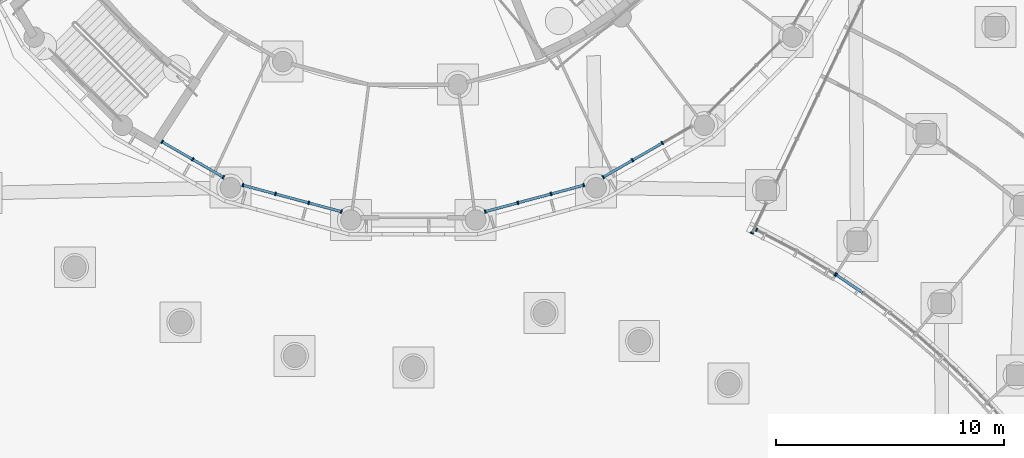
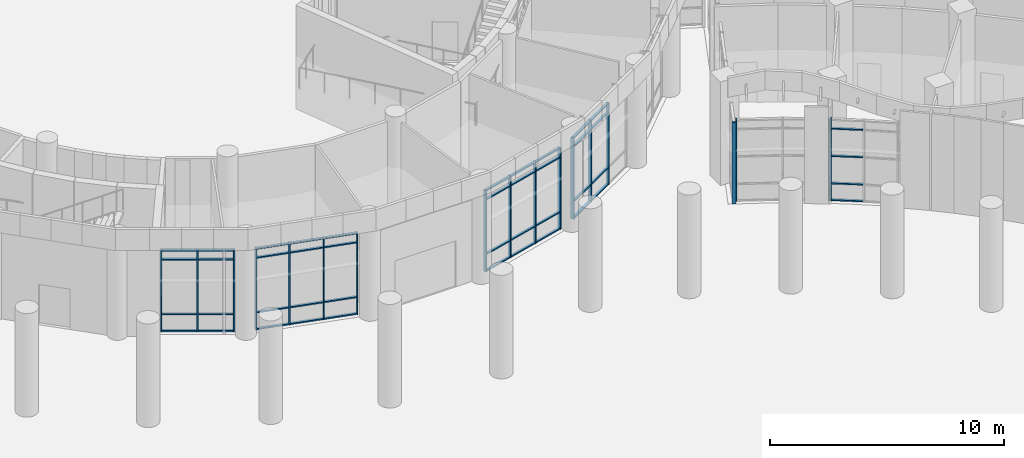
# One storey, part 17 of 146: 62 members, 7 elements without a shape of their own.
"""IFC4 building model written with IfcOpenShell, lengths in metres."""

import ifcopenshell
import ifcopenshell.guid

model = None  # the IFC model being written
_history = None  # IfcOwnerHistory: only IFC2X3 demands one
_inside = {}  # id of a spatial element -> (the spatial element, [elements in it])
_under = {}  # id of a project, library or spatial element -> (it, [spatial elements below it])
_declared = {}  # id of a project -> (the project, [libraries it declares])
_typed = {}  # id of a type object -> (the type object, [elements of that type])
_made_of = {}  # id of a material, layer set ... -> (it, [elements and type objects made of it])


def new_model(schema):
    """Start an empty IFC model of exactly this schema.

    Asked for "IFC4X3", IfcOpenShell would pick the latest addendum, in which some entities
    have other attributes; the version numbers below select the first issue.
    IFC2X3 requires an IfcOwnerHistory on every rooted entity: one is made here for all.
    """
    global model, _history
    if schema == "IFC4X3":
        model = ifcopenshell.file(schema_version=(4, 3, 0, 0))
    else:
        model = ifcopenshell.file(schema=schema)
    _inside.clear()
    _under.clear()
    _declared.clear()
    _typed.clear()
    _made_of.clear()
    _history = None
    if model.schema == "IFC2X3":
        org = make("IfcOrganization", Name="unknown")
        user = make(
            "IfcPersonAndOrganization",
            ThePerson=make("IfcPerson", FamilyName="unknown"),
            TheOrganization=org,
        )
        app = make(
            "IfcApplication",
            ApplicationDeveloper=org,
            Version="unknown",
            ApplicationFullName="unknown",
            ApplicationIdentifier="unknown",
        )
        _history = make(
            "IfcOwnerHistory",
            OwningUser=user,
            OwningApplication=app,
            ChangeAction="ADDED",
            CreationDate=0,
        )
    return model


def make(cls, **values):
    """One entity of the class cls with the attributes given. An attribute that is None is left unset."""
    return model.create_entity(
        cls, **{name: value for name, value in values.items() if value is not None}
    )


def rooted(cls, **values):
    """An entity with a GlobalId (a new one), such as an element, a storey or a relation."""
    return make(cls, GlobalId=ifcopenshell.guid.new(), OwnerHistory=_history, **values)


def si_unit(unit_type, name, prefix=None):
    """IfcSIUnit, for example si_unit("LENGTHUNIT", "METRE", prefix="MILLI")."""
    return make("IfcSIUnit", UnitType=unit_type, Prefix=prefix, Name=name)


def assignment(units):
    """IfcUnitAssignment: the units of a project."""
    return None if units is None else make("IfcUnitAssignment", Units=units)


def point(xyz):
    """IfcCartesianPoint."""
    return None if xyz is None else make("IfcCartesianPoint", Coordinates=xyz)


def direction(xyz):
    """IfcDirection."""
    return None if xyz is None else make("IfcDirection", DirectionRatios=xyz)


def frame(location, z_axis=None, x_axis=None):
    """IfcAxis2Placement3D, a coordinate frame: its origin and axes. An axis left out is left unset."""
    return make(
        "IfcAxis2Placement3D",
        Location=point(location),
        Axis=direction(z_axis),
        RefDirection=direction(x_axis),
    )


def frame_2d(location, x_axis=None):
    """IfcAxis2Placement2D, a coordinate frame in the plane: its origin and x axis."""
    return make(
        "IfcAxis2Placement2D", Location=point(location), RefDirection=direction(x_axis)
    )


def origin():
    """The frame at (0, 0, 0) with its axes left unset."""
    return frame((0.0, 0.0, 0.0))


def origin_2d():
    """The frame at (0, 0) in the plane with its x axis left unset."""
    return frame_2d((0.0, 0.0))


def place(relative_to, where):
    """IfcLocalPlacement: puts the frame where relative to a parent placement (None: the world)."""
    return make(
        "IfcLocalPlacement", PlacementRelTo=relative_to, RelativePlacement=where
    )


def context(
    kind, dimensions, precision=None, world=None, true_north=None, identifier=None
):
    """IfcGeometricRepresentationContext, for example the 3D "Model" context."""
    return make(
        "IfcGeometricRepresentationContext",
        ContextIdentifier=identifier,
        ContextType=kind,
        CoordinateSpaceDimension=dimensions,
        Precision=precision,
        WorldCoordinateSystem=world,
        TrueNorth=true_north,
    )


def subcontext(parent, identifier, kind, view, scale=None):
    """IfcGeometricRepresentationSubContext, for example "Body" below "Model"."""
    return make(
        "IfcGeometricRepresentationSubContext",
        ContextIdentifier=identifier,
        ContextType=kind,
        ParentContext=parent,
        TargetScale=scale,
        TargetView=view,
    )


def project(units=None, contexts=None):
    """IfcProject with its units and contexts."""
    return rooted(
        "IfcProject",
        Name="project",
        RepresentationContexts=contexts,
        UnitsInContext=assignment(units),
    )


def spatial(cls, under=None, at=None, **own):
    """A site, building, storey or space (cls), placed at a placement, below another one or the project."""
    s = rooted(cls, ObjectPlacement=at, **own)
    if under is not None:
        _under.setdefault(under.id(), (under, []))[1].append(s)
    return s


def profile(cls, at=None, kind="AREA", **sizes):
    """A parametric profile (cls). Its sizes go by their IFC names, for example OverallWidth=200.0."""
    return make(cls, ProfileType=kind, Position=at, **sizes)


def rectangle(**sizes):
    """IfcRectangleProfileDef."""
    return profile("IfcRectangleProfileDef", **sizes)


def extrude(swept, where, along, depth):
    """IfcExtrudedAreaSolid: the profile swept, set in the frame where, extruded along a direction by depth."""
    return make(
        "IfcExtrudedAreaSolid",
        SweptArea=swept,
        Position=where,
        ExtrudedDirection=direction(along),
        Depth=depth,
    )


def shape(context_of_items, identifier, shape_type, items):
    """IfcShapeRepresentation: the items that make up one representation, for example the "Body"."""
    return make(
        "IfcShapeRepresentation",
        ContextOfItems=context_of_items,
        RepresentationIdentifier=identifier,
        RepresentationType=shape_type,
        Items=items,
    )


def material(Name=None, Category=None):
    """IfcMaterial."""
    return make("IfcMaterial", Name=Name, Category=Category)


def material_profile(
    of_material, cross_section, Name=None, Category=None, Priority=None
):
    """IfcMaterialProfile: a cross section and its material."""
    return make(
        "IfcMaterialProfile",
        Name=Name,
        Material=of_material,
        Profile=cross_section,
        Priority=Priority,
        Category=Category,
    )


def profile_set(profiles, Name=None, composite=None):
    """IfcMaterialProfileSet."""
    return make(
        "IfcMaterialProfileSet",
        Name=Name,
        MaterialProfiles=profiles,
        CompositeProfile=composite,
    )


def made_of(thing, what):
    """Note that an element or type object is made of a material, layer set ...; save() writes the relation."""
    if what is not None:
        _made_of.setdefault(what.id(), (what, []))[1].append(thing)
    return thing


def type_object(cls, material=None, **own):
    """A type object (cls), such as IfcWallType, which elements share."""
    return made_of(rooted(cls, **own), material)


def element(
    cls,
    number,
    at=None,
    inside=None,
    cuts=None,
    type_object=None,
    material=None,
    context=None,
    identifier="Body",
    shape_type=None,
    held_by="IfcProductDefinitionShape",
    body=None,
    shapes=None,
    **own,
):
    """One element of the class cls, such as IfcWall. Its Tag is "e" and its number.

    at: its placement. inside: the storey or other place that contains it. cuts: it is an
    opening in that element (IfcRelVoidsElement). A single representation is given by context,
    identifier, shape_type and body (its items); several are given by shapes. held_by: the class
    of the entity that holds the representations. save() writes the other relations.
    """
    e = rooted(cls, Tag="e%d" % number, ObjectPlacement=at, **own)
    if body is not None:
        shapes = [shape(context, identifier, shape_type, body)]
    if shapes is not None:
        e.Representation = make(held_by, Representations=shapes)
    if inside is not None:
        _inside.setdefault(inside.id(), (inside, []))[1].append(e)
    if cuts is not None:
        rooted(
            "IfcRelVoidsElement", RelatingBuildingElement=cuts, RelatedOpeningElement=e
        )
    if type_object is not None:
        _typed.setdefault(type_object.id(), (type_object, []))[1].append(e)
    return made_of(e, material)


def aggregate(whole, parts):
    """IfcRelAggregates: a whole, such as a stair, and the parts it consists of."""
    return rooted("IfcRelAggregates", RelatingObject=whole, RelatedObjects=parts)


def save(model, path):
    """Write the relations noted so far, then the file.

    IfcRelAggregates (storeys below a building ...), IfcRelContainedInSpatialStructure (elements
    in a storey), IfcRelDefinesByType, IfcRelAssociatesMaterial and IfcRelDeclares: one each for
    every whole, place, type object, material and project.
    """
    for whole, parts in _under.values():
        aggregate(whole, parts)
    for where, things in _inside.values():
        rooted(
            "IfcRelContainedInSpatialStructure",
            RelatedElements=things,
            RelatingStructure=where,
        )
    for kind, things in _typed.values():
        rooted("IfcRelDefinesByType", RelatedObjects=things, RelatingType=kind)
    for what, things in _made_of.values():
        rooted("IfcRelAssociatesMaterial", RelatedObjects=things, RelatingMaterial=what)
    for by, libraries in _declared.values():
        rooted("IfcRelDeclares", RelatingContext=by, RelatedDefinitions=libraries)
    model.write(path)


model = new_model("IFC4")

# Units and contexts
model_context = context("Model", 3, precision=1e-05, world=origin(), true_north=direction((0.0, 1.0)))
body_context = subcontext(model_context, "Body", "Model", "MODEL_VIEW")
ifc_project = project(units=[si_unit("LENGTHUNIT", "METRE"), si_unit("AREAUNIT", "SQUARE_METRE"), si_unit("VOLUMEUNIT", "CUBIC_METRE"), si_unit("PLANEANGLEUNIT", "RADIAN"), si_unit("MASSUNIT", "GRAM", prefix="KILO")], contexts=[model_context])

# Site, building, storey
site_placement = place(None, origin())
site = spatial("IfcSite", under=ifc_project, at=site_placement, CompositionType="ELEMENT")
building_placement = place(site_placement, origin())
building = spatial("IfcBuilding", under=site, at=building_placement, Name="Bougainvillea Quay General Hospital", CompositionType="ELEMENT")
storey_placement = place(building_placement, origin())
storey = spatial("IfcBuildingStorey", under=building, at=storey_placement, Name="L00", CompositionType="ELEMENT", Elevation=0.0)

# Curtain wall, member
ifc_material_1 = material(Name="Aluminium curtain wall system, powder-coated glazed", Category="aluminium")
curtain_wall_type_1 = type_object("IfcCurtainWallType", Name="Unitised curtain wall CW-1530", PredefinedType="NOTDEFINED", material=ifc_material_1)
curtain_wall_1_placement = place(storey_placement, origin())
curtain_wall_1 = element("IfcCurtainWall", 1, at=curtain_wall_1_placement, inside=storey, type_object=curtain_wall_type_1, Name="CW-AE 01", PredefinedType="NOTDEFINED")
ifc_material_2 = material(Name="Aluminium mullion, powder-coated charcoal", Category="aluminium")
ifc_material_profile_1 = material_profile(ifc_material_2, rectangle(XDim=0.159912109375, YDim=0.06005859375, at=origin_2d()))
ifc_profile_set_1 = profile_set([ifc_material_profile_1], Name="Aluminium mullion, powder-coated charcoal")
member_type_1 = type_object("IfcMemberType", Name="Curtain wall mullion 160x60", PredefinedType="MULLION", material=ifc_profile_set_1)
member_1_placement = place(storey_placement, frame((124.075439453125, 52.607421875, 0.0), z_axis=(0.0, 0.0, 1.0), x_axis=(0.902576055431, -0.430530445105, 0.0)))
member_1 = element("IfcMember", 2, at=member_1_placement, type_object=member_type_1, Name="CW-AE mullion 2", PredefinedType="MULLION", context=body_context, shape_type="SweptSolid", body=[
    extrude(rectangle(XDim=0.159912109375, YDim=0.06005859375, at=origin_2d()), origin(), (0.0, 0.0, 1.0), 4.25),
])
aggregate(curtain_wall_1, [member_1])

# Curtain wall, members
curtain_wall_type_2 = type_object("IfcCurtainWallType", Name="Unitised curtain wall CW-2100", PredefinedType="NOTDEFINED", material=ifc_material_1)
curtain_wall_2_placement = place(storey_placement, origin())
curtain_wall_2 = element("IfcCurtainWall", 3, at=curtain_wall_2_placement, inside=storey, type_object=curtain_wall_type_2, Name="CW-E01 a21b0", PredefinedType="NOTDEFINED")
member_2_placement = place(storey_placement, frame((124.279541015625, 52.750732421875, 0.0), z_axis=(0.0, 0.0, 1.0), x_axis=(0.46572625668, 0.884928841116, 0.0)))
member_2 = element("IfcMember", 4, at=member_2_placement, type_object=member_type_1, Name="CW-E01 mullion 1", PredefinedType="MULLION", context=body_context, shape_type="SweptSolid", body=[
    extrude(rectangle(XDim=0.159912109375, YDim=0.06005859375, at=origin_2d()), origin(), (0.0, 0.0, 1.0), 4.25),
])
member_3_placement = place(storey_placement, frame((127.73388671875, 50.801025390625, 0.0), z_axis=(0.0, 0.0, 1.0), x_axis=(0.516937944525, 0.856022874409, 0.0)))
member_3 = element("IfcMember", 5, at=member_3_placement, type_object=member_type_1, Name="CW-E01 mullion 3", PredefinedType="MULLION", context=body_context, shape_type="SweptSolid", body=[
    extrude(rectangle(XDim=0.159912109375, YDim=0.06005859375, at=origin_2d()), origin(), (0.0, 0.0, 1.0), 4.25),
])
aggregate(curtain_wall_2, [member_2, member_3])

# Curtain wall, member
curtain_wall_3_placement = place(storey_placement, origin())
curtain_wall_3 = element("IfcCurtainWall", 6, at=curtain_wall_3_placement, inside=storey, type_object=curtain_wall_type_2, Name="CW-E02 a21b1", PredefinedType="NOTDEFINED")
member_4_placement = place(storey_placement, frame((127.784423828125, 50.7685546875, 0.0), z_axis=(0.0, 0.0, 1.0), x_axis=(0.559636552705, 0.828738154592, 0.0)))
member_4 = element("IfcMember", 7, at=member_4_placement, type_object=member_type_1, Name="CW-E02 mullion 1", PredefinedType="MULLION", context=body_context, shape_type="SweptSolid", body=[
    extrude(rectangle(XDim=0.159912109375, YDim=0.06005859375, at=origin_2d()), origin(), (0.0, 0.0, 1.0), 4.25),
])

# Curtain wall, members
curtain_wall_type_3 = type_object("IfcCurtainWallType", Name="Unitised curtain wall CW-1585", PredefinedType="NOTDEFINED", material=ifc_material_1)
curtain_wall_4_placement = place(storey_placement, origin())
curtain_wall_4 = element("IfcCurtainWall", 8, at=curtain_wall_4_placement, inside=storey, type_object=curtain_wall_type_3, Name="CW-D 00", PredefinedType="NOTDEFINED")
member_5_placement = place(storey_placement, frame((98.162841796875, 56.620361328125, 0.0), z_axis=(0.0, 0.0, 1.0), x_axis=(0.499964557262, 0.866045865692, 0.0)))
member_5 = element("IfcMember", 9, at=member_5_placement, type_object=member_type_1, Name="CW-D mullion 1", PredefinedType="MULLION", context=body_context, shape_type="SweptSolid", body=[
    extrude(rectangle(XDim=0.159912109375, YDim=0.06005859375, at=origin_2d()), origin(), (0.0, 0.0, 1.0), 4.25),
])
member_6_placement = place(storey_placement, frame((99.50927734375, 55.8427734375, 0.0), z_axis=(0.0, 0.0, 1.0), x_axis=(0.499964557262, 0.866045865692, 0.0)))
member_6 = element("IfcMember", 10, at=member_6_placement, type_object=member_type_1, Name="CW-D mullion 2", PredefinedType="MULLION", context=body_context, shape_type="SweptSolid", body=[
    extrude(rectangle(XDim=0.159912109375, YDim=0.06005859375, at=origin_2d()), origin(), (0.0, 0.0, 1.0), 4.25),
])
member_7_placement = place(storey_placement, frame((100.85595703125, 55.0654296875, 0.0), z_axis=(0.0, 0.0, 1.0), x_axis=(0.499964557262, 0.866045865692, 0.0)))
member_7 = element("IfcMember", 11, at=member_7_placement, type_object=member_type_1, Name="CW-D mullion 3", PredefinedType="MULLION", context=body_context, shape_type="SweptSolid", body=[
    extrude(rectangle(XDim=0.159912109375, YDim=0.06005859375, at=origin_2d()), origin(), (0.0, 0.0, 1.0), 4.25),
])

curtain_wall_type_4 = type_object("IfcCurtainWallType", Name="Unitised curtain wall CW-1514", PredefinedType="NOTDEFINED", material=ifc_material_1)
curtain_wall_5_placement = place(storey_placement, origin())
curtain_wall_5 = element("IfcCurtainWall", 12, at=curtain_wall_5_placement, inside=storey, type_object=curtain_wall_type_4, Name="CW-D 00", PredefinedType="NOTDEFINED")
member_8_placement = place(storey_placement, frame((101.711669921875, 54.7109375, 0.0), z_axis=(0.0, 0.0, 1.0), x_axis=(0.258854621298, 0.965916292974, 0.0)))
member_8 = element("IfcMember", 13, at=member_8_placement, type_object=member_type_1, Name="CW-D mullion 1", PredefinedType="MULLION", context=body_context, shape_type="SweptSolid", body=[
    extrude(rectangle(XDim=0.159912109375, YDim=0.06005859375, at=origin_2d()), origin(), (0.0, 0.0, 1.0), 4.25),
])
member_9_placement = place(storey_placement, frame((103.14501953125, 54.326904296875, 0.0), z_axis=(0.0, 0.0, 1.0), x_axis=(0.258854621298, 0.965916292974, 0.0)))
member_9 = element("IfcMember", 14, at=member_9_placement, type_object=member_type_1, Name="CW-D mullion 2", PredefinedType="MULLION", context=body_context, shape_type="SweptSolid", body=[
    extrude(rectangle(XDim=0.159912109375, YDim=0.06005859375, at=origin_2d()), origin(), (0.0, 0.0, 1.0), 4.25),
])
member_10_placement = place(storey_placement, frame((104.607421875, 53.93505859375, 0.0), z_axis=(0.0, 0.0, 1.0), x_axis=(0.258854621298, 0.965916292974, 0.0)))
member_10 = element("IfcMember", 15, at=member_10_placement, type_object=member_type_1, Name="CW-D mullion 3", PredefinedType="MULLION", context=body_context, shape_type="SweptSolid", body=[
    extrude(rectangle(XDim=0.159912109375, YDim=0.06005859375, at=origin_2d()), origin(), (0.0, 0.0, 1.0), 4.25),
])
member_11_placement = place(storey_placement, frame((106.040771484375, 53.551025390625, 0.0), z_axis=(0.0, 0.0, 1.0), x_axis=(0.258854621298, 0.965916292974, 0.0)))
member_11 = element("IfcMember", 16, at=member_11_placement, type_object=member_type_1, Name="CW-D mullion 4", PredefinedType="MULLION", context=body_context, shape_type="SweptSolid", body=[
    extrude(rectangle(XDim=0.159912109375, YDim=0.06005859375, at=origin_2d()), origin(), (0.0, 0.0, 1.0), 4.25),
])

curtain_wall_6_placement = place(storey_placement, origin())
curtain_wall_6 = element("IfcCurtainWall", 17, at=curtain_wall_6_placement, inside=storey, type_object=curtain_wall_type_4, Name="CW-D 00", PredefinedType="NOTDEFINED")
member_12_placement = place(storey_placement, frame((112.359130859375, 53.551025390625, 0.0), z_axis=(0.0, 0.0, 1.0), x_axis=(-0.258854621298, 0.965916292974, 0.0)))
member_12 = element("IfcMember", 18, at=member_12_placement, type_object=member_type_1, Name="CW-D mullion 1", PredefinedType="MULLION", context=body_context, shape_type="SweptSolid", body=[
    extrude(rectangle(XDim=0.159912109375, YDim=0.06005859375, at=origin_2d()), origin(), (0.0, 0.0, 1.0), 4.25),
])
member_13_placement = place(storey_placement, frame((113.792724609375, 53.93505859375, 0.0), z_axis=(0.0, 0.0, 1.0), x_axis=(-0.258854621298, 0.965916292974, 0.0)))
member_13 = element("IfcMember", 19, at=member_13_placement, type_object=member_type_1, Name="CW-D mullion 2", PredefinedType="MULLION", context=body_context, shape_type="SweptSolid", body=[
    extrude(rectangle(XDim=0.159912109375, YDim=0.06005859375, at=origin_2d()), origin(), (0.0, 0.0, 1.0), 4.25),
])
member_14_placement = place(storey_placement, frame((115.2548828125, 54.326904296875, 0.0), z_axis=(0.0, 0.0, 1.0), x_axis=(-0.258854621298, 0.965916292974, 0.0)))
member_14 = element("IfcMember", 20, at=member_14_placement, type_object=member_type_1, Name="CW-D mullion 3", PredefinedType="MULLION", context=body_context, shape_type="SweptSolid", body=[
    extrude(rectangle(XDim=0.159912109375, YDim=0.06005859375, at=origin_2d()), origin(), (0.0, 0.0, 1.0), 4.25),
])
member_15_placement = place(storey_placement, frame((116.688232421875, 54.7109375, 0.0), z_axis=(0.0, 0.0, 1.0), x_axis=(-0.258854621298, 0.965916292974, 0.0)))
member_15 = element("IfcMember", 21, at=member_15_placement, type_object=member_type_1, Name="CW-D mullion 4", PredefinedType="MULLION", context=body_context, shape_type="SweptSolid", body=[
    extrude(rectangle(XDim=0.159912109375, YDim=0.06005859375, at=origin_2d()), origin(), (0.0, 0.0, 1.0), 4.25),
])

curtain_wall_type_5 = type_object("IfcCurtainWallType", Name="Unitised curtain wall CW-1515", PredefinedType="NOTDEFINED", material=ifc_material_1)
curtain_wall_7_placement = place(storey_placement, origin())
curtain_wall_7 = element("IfcCurtainWall", 22, at=curtain_wall_7_placement, inside=storey, type_object=curtain_wall_type_5, Name="CW-D 00", PredefinedType="NOTDEFINED")
member_16_placement = place(storey_placement, frame((117.5439453125, 55.0654296875, 0.0), z_axis=(0.0, 0.0, 1.0), x_axis=(-0.499964557262, 0.866045865692, 0.0)))
member_16 = element("IfcMember", 23, at=member_16_placement, type_object=member_type_1, Name="CW-D mullion 1", PredefinedType="MULLION", context=body_context, shape_type="SweptSolid", body=[
    extrude(rectangle(XDim=0.159912109375, YDim=0.06005859375, at=origin_2d()), origin(), (0.0, 0.0, 1.0), 4.25),
])
member_17_placement = place(storey_placement, frame((118.829345703125, 55.8076171875, 0.0), z_axis=(0.0, 0.0, 1.0), x_axis=(-0.499964557262, 0.866045865692, 0.0)))
member_17 = element("IfcMember", 24, at=member_17_placement, type_object=member_type_1, Name="CW-D mullion 2", PredefinedType="MULLION", context=body_context, shape_type="SweptSolid", body=[
    extrude(rectangle(XDim=0.159912109375, YDim=0.06005859375, at=origin_2d()), origin(), (0.0, 0.0, 1.0), 4.25),
])
member_18_placement = place(storey_placement, frame((120.140625, 56.564453125, 0.0), z_axis=(0.0, 0.0, 1.0), x_axis=(-0.499964557262, 0.866045865692, 0.0)))
member_18 = element("IfcMember", 25, at=member_18_placement, type_object=member_type_1, Name="CW-D mullion 3", PredefinedType="MULLION", context=body_context, shape_type="SweptSolid", body=[
    extrude(rectangle(XDim=0.159912109375, YDim=0.06005859375, at=origin_2d()), origin(), (0.0, 0.0, 1.0), 4.25),
])

# Member
ifc_material_3 = material(Name="Aluminium transom, powder-coated charcoal", Category="aluminium")
ifc_material_profile_2 = material_profile(ifc_material_3, rectangle(XDim=0.1201171875, YDim=0.06005859375, at=origin_2d()))
ifc_profile_set_2 = profile_set([ifc_material_profile_2], Name="Aluminium transom, powder-coated charcoal")
member_type_2 = type_object("IfcMemberType", Name="Curtain wall transom 120x60", PredefinedType="USERDEFINED", material=ifc_profile_set_2)
member_19_placement = place(storey_placement, frame((127.809326171875, 50.751953125, 0.030029296875), z_axis=(0.828627038145, -0.559801064356, 0.0), x_axis=(0.559801064356, 0.828627038145, 0.0)))
member_19 = element("IfcMember", 26, at=member_19_placement, type_object=member_type_2, Name="CW-E02 transom 1.1", ObjectType="TRANSOM", PredefinedType="USERDEFINED", context=body_context, shape_type="SweptSolid", body=[
    extrude(rectangle(XDim=0.1201171875, YDim=0.06005859375, at=origin_2d()), origin(), (0.0, 0.0, 1.0), 1.36669921875),
])

member_20_placement = place(storey_placement, frame((127.809326171875, 50.751953125, 0.89990234375), z_axis=(0.828627038145, -0.559801064356, 0.0), x_axis=(0.559801064356, 0.828627038145, 0.0)))
member_20 = element("IfcMember", 27, at=member_20_placement, type_object=member_type_2, Name="CW-E02 transom 1.2", ObjectType="TRANSOM", PredefinedType="USERDEFINED", context=body_context, shape_type="SweptSolid", body=[
    extrude(rectangle(XDim=0.1201171875, YDim=0.06005859375, at=origin_2d()), origin(), (0.0, 0.0, 1.0), 1.36669921875),
])

member_21_placement = place(storey_placement, frame((127.809326171875, 50.751953125, 2.324951171875), z_axis=(0.828627038145, -0.559801064356, 0.0), x_axis=(0.559801064356, 0.828627038145, 0.0)))
member_21 = element("IfcMember", 28, at=member_21_placement, type_object=member_type_2, Name="CW-E02 transom 1.3", ObjectType="TRANSOM", PredefinedType="USERDEFINED", context=body_context, shape_type="SweptSolid", body=[
    extrude(rectangle(XDim=0.1201171875, YDim=0.06005859375, at=origin_2d()), origin(), (0.0, 0.0, 1.0), 1.36669921875),
])

member_22_placement = place(storey_placement, frame((127.809326171875, 50.751953125, 3.75), z_axis=(0.828627038145, -0.559801064356, 0.0), x_axis=(0.559801064356, 0.828627038145, 0.0)))
member_22 = element("IfcMember", 29, at=member_22_placement, type_object=member_type_2, Name="CW-E02 transom 1.4", ObjectType="TRANSOM", PredefinedType="USERDEFINED", context=body_context, shape_type="SweptSolid", body=[
    extrude(rectangle(XDim=0.1201171875, YDim=0.06005859375, at=origin_2d()), origin(), (0.0, 0.0, 1.0), 1.36669921875),
])

aggregate(curtain_wall_3, [member_4, member_19, member_20, member_21, member_22])

member_23_placement = place(storey_placement, frame((98.188720703125, 56.605224609375, 0.030029296875), z_axis=(0.866074087889, -0.499915667175, 0.0), x_axis=(0.499915667175, 0.866074087889, 0.0)))
member_23 = element("IfcMember", 30, at=member_23_placement, type_object=member_type_2, Name="CW-D transom 1.1", ObjectType="TRANSOM", PredefinedType="USERDEFINED", context=body_context, shape_type="SweptSolid", body=[
    extrude(rectangle(XDim=0.1201171875, YDim=0.06005859375, at=origin_2d()), origin(), (0.0, 0.0, 1.0), 1.494873046875),
])

member_24_placement = place(storey_placement, frame((98.188720703125, 56.605224609375, 0.89990234375), z_axis=(0.866074087889, -0.499915667175, 0.0), x_axis=(0.499915667175, 0.866074087889, 0.0)))
member_24 = element("IfcMember", 31, at=member_24_placement, type_object=member_type_2, Name="CW-D transom 1.2", ObjectType="TRANSOM", PredefinedType="USERDEFINED", context=body_context, shape_type="SweptSolid", body=[
    extrude(rectangle(XDim=0.1201171875, YDim=0.06005859375, at=origin_2d()), origin(), (0.0, 0.0, 1.0), 1.494873046875),
])

member_25_placement = place(storey_placement, frame((98.188720703125, 56.605224609375, 3.75), z_axis=(0.866074087889, -0.499915667175, 0.0), x_axis=(0.499915667175, 0.866074087889, 0.0)))
member_25 = element("IfcMember", 32, at=member_25_placement, type_object=member_type_2, Name="CW-D transom 1.3", ObjectType="TRANSOM", PredefinedType="USERDEFINED", context=body_context, shape_type="SweptSolid", body=[
    extrude(rectangle(XDim=0.1201171875, YDim=0.06005859375, at=origin_2d()), origin(), (0.0, 0.0, 1.0), 1.494873046875),
])

member_26_placement = place(storey_placement, frame((98.188720703125, 56.605224609375, 4.219970703125), z_axis=(0.866074087889, -0.499915667175, 0.0), x_axis=(0.499915667175, 0.866074087889, 0.0)))
member_26 = element("IfcMember", 33, at=member_26_placement, type_object=member_type_2, Name="CW-D transom 1.4", ObjectType="TRANSOM", PredefinedType="USERDEFINED", context=body_context, shape_type="SweptSolid", body=[
    extrude(rectangle(XDim=0.1201171875, YDim=0.06005859375, at=origin_2d()), origin(), (0.0, 0.0, 1.0), 1.494873046875),
])

member_27_placement = place(storey_placement, frame((99.535400390625, 55.827880859375, 0.030029296875), z_axis=(0.866074087889, -0.499915667175, 0.0), x_axis=(0.499915667175, 0.866074087889, 0.0)))
member_27 = element("IfcMember", 34, at=member_27_placement, type_object=member_type_2, Name="CW-D transom 2.1", ObjectType="TRANSOM", PredefinedType="USERDEFINED", context=body_context, shape_type="SweptSolid", body=[
    extrude(rectangle(XDim=0.1201171875, YDim=0.06005859375, at=origin_2d()), origin(), (0.0, 0.0, 1.0), 1.494873046875),
])

member_28_placement = place(storey_placement, frame((99.535400390625, 55.827880859375, 0.89990234375), z_axis=(0.866074087889, -0.499915667175, 0.0), x_axis=(0.499915667175, 0.866074087889, 0.0)))
member_28 = element("IfcMember", 35, at=member_28_placement, type_object=member_type_2, Name="CW-D transom 2.2", ObjectType="TRANSOM", PredefinedType="USERDEFINED", context=body_context, shape_type="SweptSolid", body=[
    extrude(rectangle(XDim=0.1201171875, YDim=0.06005859375, at=origin_2d()), origin(), (0.0, 0.0, 1.0), 1.494873046875),
])

member_29_placement = place(storey_placement, frame((99.535400390625, 55.827880859375, 3.75), z_axis=(0.866074087889, -0.499915667175, 0.0), x_axis=(0.499915667175, 0.866074087889, 0.0)))
member_29 = element("IfcMember", 36, at=member_29_placement, type_object=member_type_2, Name="CW-D transom 2.3", ObjectType="TRANSOM", PredefinedType="USERDEFINED", context=body_context, shape_type="SweptSolid", body=[
    extrude(rectangle(XDim=0.1201171875, YDim=0.06005859375, at=origin_2d()), origin(), (0.0, 0.0, 1.0), 1.494873046875),
])

member_30_placement = place(storey_placement, frame((99.535400390625, 55.827880859375, 4.219970703125), z_axis=(0.866074087889, -0.499915667175, 0.0), x_axis=(0.499915667175, 0.866074087889, 0.0)))
member_30 = element("IfcMember", 37, at=member_30_placement, type_object=member_type_2, Name="CW-D transom 2.4", ObjectType="TRANSOM", PredefinedType="USERDEFINED", context=body_context, shape_type="SweptSolid", body=[
    extrude(rectangle(XDim=0.1201171875, YDim=0.06005859375, at=origin_2d()), origin(), (0.0, 0.0, 1.0), 1.494873046875),
])

aggregate(curtain_wall_4, [member_5, member_6, member_7, member_23, member_24, member_25, member_26, member_27, member_28, member_29, member_30])

member_31_placement = place(storey_placement, frame((101.74072265625, 54.703369140625, 0.030029296875), z_axis=(0.965898291136, -0.258921785836, 0.0), x_axis=(0.258921785836, 0.965898291136, 0.0)))
member_31 = element("IfcMember", 38, at=member_31_placement, type_object=member_type_2, Name="CW-D transom 1.1", ObjectType="TRANSOM", PredefinedType="USERDEFINED", context=body_context, shape_type="SweptSolid", body=[
    extrude(rectangle(XDim=0.1201171875, YDim=0.06005859375, at=origin_2d()), origin(), (0.0, 0.0, 1.0), 1.423828125),
])

member_32_placement = place(storey_placement, frame((101.74072265625, 54.703369140625, 0.89990234375), z_axis=(0.965898291136, -0.258921785836, 0.0), x_axis=(0.258921785836, 0.965898291136, 0.0)))
member_32 = element("IfcMember", 39, at=member_32_placement, type_object=member_type_2, Name="CW-D transom 1.2", ObjectType="TRANSOM", PredefinedType="USERDEFINED", context=body_context, shape_type="SweptSolid", body=[
    extrude(rectangle(XDim=0.1201171875, YDim=0.06005859375, at=origin_2d()), origin(), (0.0, 0.0, 1.0), 1.423828125),
])

member_33_placement = place(storey_placement, frame((101.74072265625, 54.703369140625, 3.75), z_axis=(0.965898291136, -0.258921785836, 0.0), x_axis=(0.258921785836, 0.965898291136, 0.0)))
member_33 = element("IfcMember", 40, at=member_33_placement, type_object=member_type_2, Name="CW-D transom 1.3", ObjectType="TRANSOM", PredefinedType="USERDEFINED", context=body_context, shape_type="SweptSolid", body=[
    extrude(rectangle(XDim=0.1201171875, YDim=0.06005859375, at=origin_2d()), origin(), (0.0, 0.0, 1.0), 1.423828125),
])

member_34_placement = place(storey_placement, frame((101.74072265625, 54.703369140625, 4.219970703125), z_axis=(0.965898291136, -0.258921785836, 0.0), x_axis=(0.258921785836, 0.965898291136, 0.0)))
member_34 = element("IfcMember", 41, at=member_34_placement, type_object=member_type_2, Name="CW-D transom 1.4", ObjectType="TRANSOM", PredefinedType="USERDEFINED", context=body_context, shape_type="SweptSolid", body=[
    extrude(rectangle(XDim=0.1201171875, YDim=0.06005859375, at=origin_2d()), origin(), (0.0, 0.0, 1.0), 1.423828125),
])

member_35_placement = place(storey_placement, frame((103.174072265625, 54.319091796875, 0.030029296875), z_axis=(0.965936059001, -0.258780853081, 0.0), x_axis=(0.258780853081, 0.965936059001, 0.0)))
member_35 = element("IfcMember", 42, at=member_35_placement, type_object=member_type_2, Name="CW-D transom 2.1", ObjectType="TRANSOM", PredefinedType="USERDEFINED", context=body_context, shape_type="SweptSolid", body=[
    extrude(rectangle(XDim=0.1201171875, YDim=0.06005859375, at=origin_2d()), origin(), (0.0, 0.0, 1.0), 1.453857421875),
])

member_36_placement = place(storey_placement, frame((103.174072265625, 54.319091796875, 0.89990234375), z_axis=(0.965936059001, -0.258780853081, 0.0), x_axis=(0.258780853081, 0.965936059001, 0.0)))
member_36 = element("IfcMember", 43, at=member_36_placement, type_object=member_type_2, Name="CW-D transom 2.2", ObjectType="TRANSOM", PredefinedType="USERDEFINED", context=body_context, shape_type="SweptSolid", body=[
    extrude(rectangle(XDim=0.1201171875, YDim=0.06005859375, at=origin_2d()), origin(), (0.0, 0.0, 1.0), 1.453857421875),
])

member_37_placement = place(storey_placement, frame((103.174072265625, 54.319091796875, 3.75), z_axis=(0.965936059001, -0.258780853081, 0.0), x_axis=(0.258780853081, 0.965936059001, 0.0)))
member_37 = element("IfcMember", 44, at=member_37_placement, type_object=member_type_2, Name="CW-D transom 2.3", ObjectType="TRANSOM", PredefinedType="USERDEFINED", context=body_context, shape_type="SweptSolid", body=[
    extrude(rectangle(XDim=0.1201171875, YDim=0.06005859375, at=origin_2d()), origin(), (0.0, 0.0, 1.0), 1.453857421875),
])

member_38_placement = place(storey_placement, frame((103.174072265625, 54.319091796875, 4.219970703125), z_axis=(0.965936059001, -0.258780853081, 0.0), x_axis=(0.258780853081, 0.965936059001, 0.0)))
member_38 = element("IfcMember", 45, at=member_38_placement, type_object=member_type_2, Name="CW-D transom 2.4", ObjectType="TRANSOM", PredefinedType="USERDEFINED", context=body_context, shape_type="SweptSolid", body=[
    extrude(rectangle(XDim=0.1201171875, YDim=0.06005859375, at=origin_2d()), origin(), (0.0, 0.0, 1.0), 1.453857421875),
])

member_39_placement = place(storey_placement, frame((104.636474609375, 53.92724609375, 0.030029296875), z_axis=(0.965898291136, -0.258921785836, 0.0), x_axis=(0.258921785836, 0.965898291136, 0.0)))
member_39 = element("IfcMember", 46, at=member_39_placement, type_object=member_type_2, Name="CW-D transom 3.1", ObjectType="TRANSOM", PredefinedType="USERDEFINED", context=body_context, shape_type="SweptSolid", body=[
    extrude(rectangle(XDim=0.1201171875, YDim=0.06005859375, at=origin_2d()), origin(), (0.0, 0.0, 1.0), 1.423828125),
])

member_40_placement = place(storey_placement, frame((104.636474609375, 53.92724609375, 0.89990234375), z_axis=(0.965898291136, -0.258921785836, 0.0), x_axis=(0.258921785836, 0.965898291136, 0.0)))
member_40 = element("IfcMember", 47, at=member_40_placement, type_object=member_type_2, Name="CW-D transom 3.2", ObjectType="TRANSOM", PredefinedType="USERDEFINED", context=body_context, shape_type="SweptSolid", body=[
    extrude(rectangle(XDim=0.1201171875, YDim=0.06005859375, at=origin_2d()), origin(), (0.0, 0.0, 1.0), 1.423828125),
])

member_41_placement = place(storey_placement, frame((104.636474609375, 53.92724609375, 3.75), z_axis=(0.965898291136, -0.258921785836, 0.0), x_axis=(0.258921785836, 0.965898291136, 0.0)))
member_41 = element("IfcMember", 48, at=member_41_placement, type_object=member_type_2, Name="CW-D transom 3.3", ObjectType="TRANSOM", PredefinedType="USERDEFINED", context=body_context, shape_type="SweptSolid", body=[
    extrude(rectangle(XDim=0.1201171875, YDim=0.06005859375, at=origin_2d()), origin(), (0.0, 0.0, 1.0), 1.423828125),
])

member_42_placement = place(storey_placement, frame((104.636474609375, 53.92724609375, 4.219970703125), z_axis=(0.965898291136, -0.258921785836, 0.0), x_axis=(0.258921785836, 0.965898291136, 0.0)))
member_42 = element("IfcMember", 49, at=member_42_placement, type_object=member_type_2, Name="CW-D transom 3.4", ObjectType="TRANSOM", PredefinedType="USERDEFINED", context=body_context, shape_type="SweptSolid", body=[
    extrude(rectangle(XDim=0.1201171875, YDim=0.06005859375, at=origin_2d()), origin(), (0.0, 0.0, 1.0), 1.423828125),
])

aggregate(curtain_wall_5, [member_8, member_9, member_10, member_11, member_31, member_32, member_33, member_34, member_35, member_36, member_37, member_38, member_39, member_40, member_41, member_42])

member_43_placement = place(storey_placement, frame((112.38818359375, 53.55859375, 0.030029296875), z_axis=(0.965909783806, 0.258878909043, 0.0), x_axis=(-0.258878909043, 0.965909783806, 0.0)))
member_43 = element("IfcMember", 50, at=member_43_placement, type_object=member_type_2, Name="CW-D transom 1.1", ObjectType="TRANSOM", PredefinedType="USERDEFINED", context=body_context, shape_type="SweptSolid", body=[
    extrude(rectangle(XDim=0.1201171875, YDim=0.06005859375, at=origin_2d()), origin(), (0.0, 0.0, 1.0), 1.424072265625),
])

member_44_placement = place(storey_placement, frame((112.38818359375, 53.55859375, 0.89990234375), z_axis=(0.965909783806, 0.258878909043, 0.0), x_axis=(-0.258878909043, 0.965909783806, 0.0)))
member_44 = element("IfcMember", 51, at=member_44_placement, type_object=member_type_2, Name="CW-D transom 1.2", ObjectType="TRANSOM", PredefinedType="USERDEFINED", context=body_context, shape_type="SweptSolid", body=[
    extrude(rectangle(XDim=0.1201171875, YDim=0.06005859375, at=origin_2d()), origin(), (0.0, 0.0, 1.0), 1.424072265625),
])

member_45_placement = place(storey_placement, frame((112.38818359375, 53.55859375, 3.75), z_axis=(0.965909783806, 0.258878909043, 0.0), x_axis=(-0.258878909043, 0.965909783806, 0.0)))
member_45 = element("IfcMember", 52, at=member_45_placement, type_object=member_type_2, Name="CW-D transom 1.3", ObjectType="TRANSOM", PredefinedType="USERDEFINED", context=body_context, shape_type="SweptSolid", body=[
    extrude(rectangle(XDim=0.1201171875, YDim=0.06005859375, at=origin_2d()), origin(), (0.0, 0.0, 1.0), 1.424072265625),
])

member_46_placement = place(storey_placement, frame((112.38818359375, 53.55859375, 4.219970703125), z_axis=(0.965909783806, 0.258878909043, 0.0), x_axis=(-0.258878909043, 0.965909783806, 0.0)))
member_46 = element("IfcMember", 53, at=member_46_placement, type_object=member_type_2, Name="CW-D transom 1.4", ObjectType="TRANSOM", PredefinedType="USERDEFINED", context=body_context, shape_type="SweptSolid", body=[
    extrude(rectangle(XDim=0.1201171875, YDim=0.06005859375, at=origin_2d()), origin(), (0.0, 0.0, 1.0), 1.424072265625),
])

member_47_placement = place(storey_placement, frame((113.821533203125, 53.94287109375, 0.030029296875), z_axis=(0.965947302154, 0.258738882778, 0.0), x_axis=(-0.258738882778, 0.965947302154, 0.0)))
member_47 = element("IfcMember", 54, at=member_47_placement, type_object=member_type_2, Name="CW-D transom 2.1", ObjectType="TRANSOM", PredefinedType="USERDEFINED", context=body_context, shape_type="SweptSolid", body=[
    extrude(rectangle(XDim=0.1201171875, YDim=0.06005859375, at=origin_2d()), origin(), (0.0, 0.0, 1.0), 1.4541015625),
])

member_48_placement = place(storey_placement, frame((113.821533203125, 53.94287109375, 0.89990234375), z_axis=(0.965947302154, 0.258738882778, 0.0), x_axis=(-0.258738882778, 0.965947302154, 0.0)))
member_48 = element("IfcMember", 55, at=member_48_placement, type_object=member_type_2, Name="CW-D transom 2.2", ObjectType="TRANSOM", PredefinedType="USERDEFINED", context=body_context, shape_type="SweptSolid", body=[
    extrude(rectangle(XDim=0.1201171875, YDim=0.06005859375, at=origin_2d()), origin(), (0.0, 0.0, 1.0), 1.4541015625),
])

member_49_placement = place(storey_placement, frame((113.821533203125, 53.94287109375, 3.75), z_axis=(0.965947302154, 0.258738882778, 0.0), x_axis=(-0.258738882778, 0.965947302154, 0.0)))
member_49 = element("IfcMember", 56, at=member_49_placement, type_object=member_type_2, Name="CW-D transom 2.3", ObjectType="TRANSOM", PredefinedType="USERDEFINED", context=body_context, shape_type="SweptSolid", body=[
    extrude(rectangle(XDim=0.1201171875, YDim=0.06005859375, at=origin_2d()), origin(), (0.0, 0.0, 1.0), 1.4541015625),
])

member_50_placement = place(storey_placement, frame((113.821533203125, 53.94287109375, 4.219970703125), z_axis=(0.965947302154, 0.258738882778, 0.0), x_axis=(-0.258738882778, 0.965947302154, 0.0)))
member_50 = element("IfcMember", 57, at=member_50_placement, type_object=member_type_2, Name="CW-D transom 2.4", ObjectType="TRANSOM", PredefinedType="USERDEFINED", context=body_context, shape_type="SweptSolid", body=[
    extrude(rectangle(XDim=0.1201171875, YDim=0.06005859375, at=origin_2d()), origin(), (0.0, 0.0, 1.0), 1.4541015625),
])

member_51_placement = place(storey_placement, frame((115.283935546875, 54.334716796875, 0.030029296875), z_axis=(0.965909783806, 0.258878909043, 0.0), x_axis=(-0.258878909043, 0.965909783806, 0.0)))
member_51 = element("IfcMember", 58, at=member_51_placement, type_object=member_type_2, Name="CW-D transom 3.1", ObjectType="TRANSOM", PredefinedType="USERDEFINED", context=body_context, shape_type="SweptSolid", body=[
    extrude(rectangle(XDim=0.1201171875, YDim=0.06005859375, at=origin_2d()), origin(), (0.0, 0.0, 1.0), 1.424072265625),
])

member_52_placement = place(storey_placement, frame((115.283935546875, 54.334716796875, 0.89990234375), z_axis=(0.965909783806, 0.258878909043, 0.0), x_axis=(-0.258878909043, 0.965909783806, 0.0)))
member_52 = element("IfcMember", 59, at=member_52_placement, type_object=member_type_2, Name="CW-D transom 3.2", ObjectType="TRANSOM", PredefinedType="USERDEFINED", context=body_context, shape_type="SweptSolid", body=[
    extrude(rectangle(XDim=0.1201171875, YDim=0.06005859375, at=origin_2d()), origin(), (0.0, 0.0, 1.0), 1.424072265625),
])

member_53_placement = place(storey_placement, frame((115.283935546875, 54.334716796875, 3.75), z_axis=(0.965909783806, 0.258878909043, 0.0), x_axis=(-0.258878909043, 0.965909783806, 0.0)))
member_53 = element("IfcMember", 60, at=member_53_placement, type_object=member_type_2, Name="CW-D transom 3.3", ObjectType="TRANSOM", PredefinedType="USERDEFINED", context=body_context, shape_type="SweptSolid", body=[
    extrude(rectangle(XDim=0.1201171875, YDim=0.06005859375, at=origin_2d()), origin(), (0.0, 0.0, 1.0), 1.424072265625),
])

member_54_placement = place(storey_placement, frame((115.283935546875, 54.334716796875, 4.219970703125), z_axis=(0.965909783806, 0.258878909043, 0.0), x_axis=(-0.258878909043, 0.965909783806, 0.0)))
member_54 = element("IfcMember", 61, at=member_54_placement, type_object=member_type_2, Name="CW-D transom 3.4", ObjectType="TRANSOM", PredefinedType="USERDEFINED", context=body_context, shape_type="SweptSolid", body=[
    extrude(rectangle(XDim=0.1201171875, YDim=0.06005859375, at=origin_2d()), origin(), (0.0, 0.0, 1.0), 1.424072265625),
])

aggregate(curtain_wall_6, [member_12, member_13, member_14, member_15, member_43, member_44, member_45, member_46, member_47, member_48, member_49, member_50, member_51, member_52, member_53, member_54])

member_55_placement = place(storey_placement, frame((117.570068359375, 55.08056640625, 0.030029296875), z_axis=(0.86608282171, 0.499900536046, 0.0), x_axis=(-0.499900536046, 0.86608282171, 0.0)))
member_55 = element("IfcMember", 62, at=member_55_placement, type_object=member_type_2, Name="CW-D transom 1.1", ObjectType="TRANSOM", PredefinedType="USERDEFINED", context=body_context, shape_type="SweptSolid", body=[
    extrude(rectangle(XDim=0.1201171875, YDim=0.06005859375, at=origin_2d()), origin(), (0.0, 0.0, 1.0), 1.424072265625),
])

member_56_placement = place(storey_placement, frame((117.570068359375, 55.08056640625, 0.89990234375), z_axis=(0.86608282171, 0.499900536046, 0.0), x_axis=(-0.499900536046, 0.86608282171, 0.0)))
member_56 = element("IfcMember", 63, at=member_56_placement, type_object=member_type_2, Name="CW-D transom 1.2", ObjectType="TRANSOM", PredefinedType="USERDEFINED", context=body_context, shape_type="SweptSolid", body=[
    extrude(rectangle(XDim=0.1201171875, YDim=0.06005859375, at=origin_2d()), origin(), (0.0, 0.0, 1.0), 1.424072265625),
])

member_57_placement = place(storey_placement, frame((117.570068359375, 55.08056640625, 3.75), z_axis=(0.86608282171, 0.499900536046, 0.0), x_axis=(-0.499900536046, 0.86608282171, 0.0)))
member_57 = element("IfcMember", 64, at=member_57_placement, type_object=member_type_2, Name="CW-D transom 1.3", ObjectType="TRANSOM", PredefinedType="USERDEFINED", context=body_context, shape_type="SweptSolid", body=[
    extrude(rectangle(XDim=0.1201171875, YDim=0.06005859375, at=origin_2d()), origin(), (0.0, 0.0, 1.0), 1.424072265625),
])

member_58_placement = place(storey_placement, frame((117.570068359375, 55.08056640625, 4.219970703125), z_axis=(0.86608282171, 0.499900536046, 0.0), x_axis=(-0.499900536046, 0.86608282171, 0.0)))
member_58 = element("IfcMember", 65, at=member_58_placement, type_object=member_type_2, Name="CW-D transom 1.4", ObjectType="TRANSOM", PredefinedType="USERDEFINED", context=body_context, shape_type="SweptSolid", body=[
    extrude(rectangle(XDim=0.1201171875, YDim=0.06005859375, at=origin_2d()), origin(), (0.0, 0.0, 1.0), 1.424072265625),
])

member_59_placement = place(storey_placement, frame((118.855224609375, 55.822509765625, 0.030029296875), z_axis=(0.866065384356, 0.499930745224, 0.0), x_axis=(-0.499930745224, 0.866065384356, 0.0)))
member_59 = element("IfcMember", 66, at=member_59_placement, type_object=member_type_2, Name="CW-D transom 2.1", ObjectType="TRANSOM", PredefinedType="USERDEFINED", context=body_context, shape_type="SweptSolid", body=[
    extrude(rectangle(XDim=0.1201171875, YDim=0.06005859375, at=origin_2d()), origin(), (0.0, 0.0, 1.0), 1.454345703125),
])

member_60_placement = place(storey_placement, frame((118.855224609375, 55.822509765625, 0.89990234375), z_axis=(0.866065384356, 0.499930745224, 0.0), x_axis=(-0.499930745224, 0.866065384356, 0.0)))
member_60 = element("IfcMember", 67, at=member_60_placement, type_object=member_type_2, Name="CW-D transom 2.2", ObjectType="TRANSOM", PredefinedType="USERDEFINED", context=body_context, shape_type="SweptSolid", body=[
    extrude(rectangle(XDim=0.1201171875, YDim=0.06005859375, at=origin_2d()), origin(), (0.0, 0.0, 1.0), 1.454345703125),
])

member_61_placement = place(storey_placement, frame((118.855224609375, 55.822509765625, 3.75), z_axis=(0.866065384356, 0.499930745224, 0.0), x_axis=(-0.499930745224, 0.866065384356, 0.0)))
member_61 = element("IfcMember", 68, at=member_61_placement, type_object=member_type_2, Name="CW-D transom 2.3", ObjectType="TRANSOM", PredefinedType="USERDEFINED", context=body_context, shape_type="SweptSolid", body=[
    extrude(rectangle(XDim=0.1201171875, YDim=0.06005859375, at=origin_2d()), origin(), (0.0, 0.0, 1.0), 1.454345703125),
])

member_62_placement = place(storey_placement, frame((118.855224609375, 55.822509765625, 4.219970703125), z_axis=(0.866065384356, 0.499930745224, 0.0), x_axis=(-0.499930745224, 0.866065384356, 0.0)))
member_62 = element("IfcMember", 69, at=member_62_placement, type_object=member_type_2, Name="CW-D transom 2.4", ObjectType="TRANSOM", PredefinedType="USERDEFINED", context=body_context, shape_type="SweptSolid", body=[
    extrude(rectangle(XDim=0.1201171875, YDim=0.06005859375, at=origin_2d()), origin(), (0.0, 0.0, 1.0), 1.454345703125),
])

aggregate(curtain_wall_7, [member_16, member_17, member_18, member_55, member_56, member_57, member_58, member_59, member_60, member_61, member_62])

save(model, "model.ifc")
